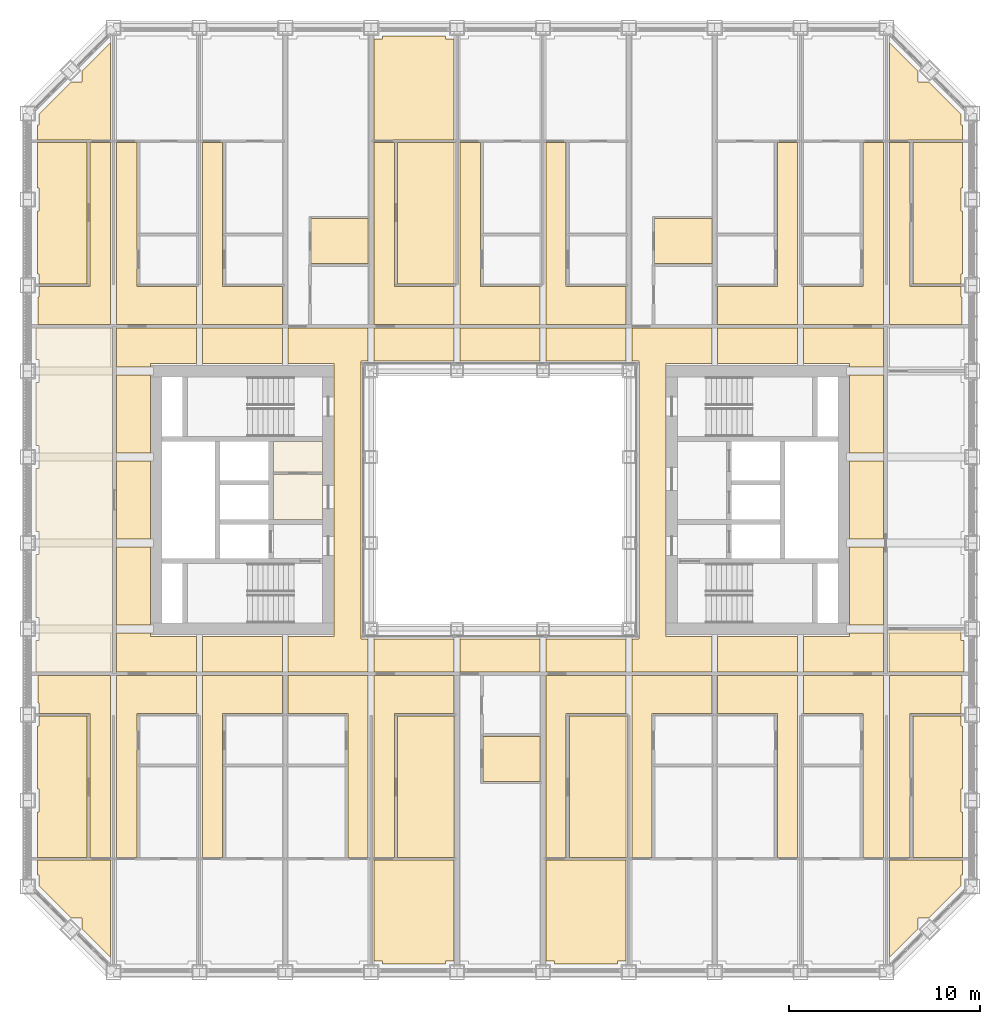
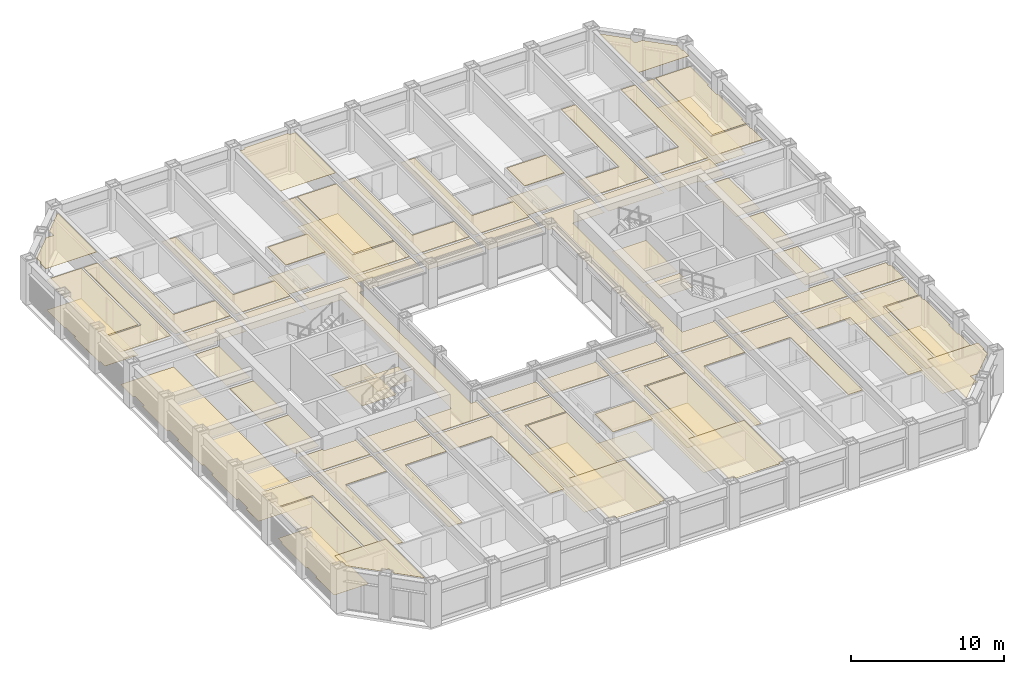
# One storey, part 18 of 20: 4 coverings.
"""IFC4 building model written with IfcOpenShell, lengths in metres."""

from ifc_helpers import new_model, si_unit, direction, frame, origin, place, context, subcontext, project, spatial, line, indexed_curve, outline, extrude, material, layer, layer_set, type_object, element, save


model = new_model("IFC4")

# Units and contexts
model_context = context("Model", 3, precision=1e-05, world=origin(), true_north=direction((0.0, 1.0)))
body_context = subcontext(model_context, "Body", "Model", "MODEL_VIEW")
ifc_project = project(units=[si_unit("LENGTHUNIT", "METRE"), si_unit("AREAUNIT", "SQUARE_METRE"), si_unit("VOLUMEUNIT", "CUBIC_METRE"), si_unit("PLANEANGLEUNIT", "RADIAN"), si_unit("MASSUNIT", "GRAM", prefix="KILO")], contexts=[model_context])

# Site, building, storey
site_placement = place(None, origin())
site = spatial("IfcSite", under=ifc_project, at=site_placement, CompositionType="ELEMENT")
building_placement = place(site_placement, origin())
building = spatial("IfcBuilding", under=site, at=building_placement, Name="Msasa Ring Tower", CompositionType="ELEMENT")
storey_placement = place(building_placement, frame((0.0, 0.0, 61.5)))
storey = spatial("IfcBuildingStorey", under=building, at=storey_placement, Name="L15", CompositionType="ELEMENT", Elevation=61.5)

# Coverings
ifc_material_1 = material(Name="Gypsum plasterboard on a steel suspension grid", Category="steel")
ifc_layer_1 = layer(ifc_material_1, 0.014892578125)
ifc_layer_set_1 = layer_set([ifc_layer_1], Name="C1 SUSPENDED PLASTERBOARD CEILING 15")
covering_type_1 = type_object("IfcCoveringType", Name="C1 SUSPENDED PLASTERBOARD CEILING 15", PredefinedType="CEILING", material=ifc_layer_set_1)
covering_1_placement = place(storey_placement, frame((0.0, 0.0, 2.39990234375)))
element("IfcCovering", 1, at=covering_1_placement, inside=storey, type_object=covering_type_1, Name="Suspended Plasterboard Ceiling 15 circulation L15", PredefinedType="CEILING", context=body_context, shape_type="SweptSolid", body=[
    extrude(outline(indexed_curve([(-21.469482421875, -18.744384765625), (-21.469482421875, -11.199462890625), (-24.1494140625, -11.199462890625), (-24.1494140625, -10.6494140625), (-24.199462890625, -10.6494140625), (-24.199462890625, -9.200439453125), (-20.404296875, -9.200439453125), (-20.404296875, -18.744384765625)], segments=[line(1, 2, 3, 4, 5, 6, 7, 8, 1)], self_intersect=False)), origin(), (0.0, 0.0, 1.0), 0.01513671875),
    extrude(outline(indexed_curve([(-24.199462890625, 9.200439453125), (-24.199462890625, 10.6494140625), (-24.1494140625, 10.6494140625), (-24.1494140625, 11.199462890625), (-21.469482421875, 11.199462890625), (-21.469482421875, 18.744384765625), (-20.404296875, 18.744384765625), (-20.404296875, 9.200439453125)], segments=[line(1, 2, 3, 4, 5, 6, 7, 8, 1)], self_intersect=False)), origin(), (0.0, 0.0, 1.0), 0.01513671875),
    extrude(outline(indexed_curve([(-20.099609375, -2.460693359375), (-18.300537109375, -2.460693359375), (-18.300537109375, -6.539306640625), (-20.099609375, -6.539306640625)], segments=[line(1, 2, 3, 4, 1)], self_intersect=False)), origin(), (0.0, 0.0, 1.0), 0.01513671875),
    extrude(outline(indexed_curve([(-20.099609375, 2.039306640625), (-18.300537109375, 2.039306640625), (-18.300537109375, -2.039306640625), (-20.099609375, -2.039306640625)], segments=[line(1, 2, 3, 4, 1)], self_intersect=False)), origin(), (0.0, 0.0, 1.0), 0.01513671875),
    extrude(outline(indexed_curve([(-20.099609375, 6.539306640625), (-18.300537109375, 6.539306640625), (-18.300537109375, 2.460693359375), (-20.099609375, 2.460693359375)], segments=[line(1, 2, 3, 4, 1)], self_intersect=False)), origin(), (0.0, 0.0, 1.0), 0.01513671875),
    extrude(outline(indexed_curve([(-19.030517578125, -11.199462890625), (-19.030517578125, -18.744384765625), (-20.095703125, -18.744384765625), (-20.095703125, -9.200439453125), (-15.904296875, -9.200439453125), (-15.904296875, -11.199462890625)], segments=[line(1, 2, 3, 4, 5, 6, 1)], self_intersect=False)), origin(), (0.0, 0.0, 1.0), 0.01513671875),
    extrude(outline(indexed_curve([(-20.095703125, -8.99951171875), (-20.095703125, -6.960693359375), (-18.300537109375, -6.960693359375), (-18.300537109375, -7.150390625), (-15.904296875, -7.150390625), (-15.904296875, -8.99951171875)], segments=[line(1, 2, 3, 4, 5, 6, 1)], self_intersect=False)), origin(), (0.0, 0.0, 1.0), 0.01513671875),
    extrude(outline(indexed_curve([(-15.904296875, 8.99951171875), (-15.904296875, 7.150390625), (-18.300537109375, 7.150390625), (-18.300537109375, 6.960693359375), (-20.095703125, 6.960693359375), (-20.095703125, 8.99951171875)], segments=[line(1, 2, 3, 4, 5, 6, 1)], self_intersect=False)), origin(), (0.0, 0.0, 1.0), 0.01513671875),
    extrude(outline(indexed_curve([(-19.030517578125, 18.744384765625), (-19.030517578125, 11.199462890625), (-15.904296875, 11.199462890625), (-15.904296875, 9.200439453125), (-20.095703125, 9.200439453125), (-20.095703125, 18.744384765625)], segments=[line(1, 2, 3, 4, 5, 6, 1)], self_intersect=False)), origin(), (0.0, 0.0, 1.0), 0.01513671875),
    extrude(outline(indexed_curve([(-11.404296875, -9.200439453125), (-11.404296875, -11.199462890625), (-14.530517578125, -11.199462890625), (-14.530517578125, -18.744384765625), (-15.595703125, -18.744384765625), (-15.595703125, -9.200439453125)], segments=[line(1, 2, 3, 4, 5, 6, 1)], self_intersect=False)), origin(), (0.0, 0.0, 1.0), 0.01513671875),
    extrude(outline(indexed_curve([(-15.595703125, -8.99951171875), (-15.595703125, -7.150390625), (-11.404296875, -7.150390625), (-11.404296875, -8.99951171875)], segments=[line(1, 2, 3, 4, 1)], self_intersect=False)), origin(), (0.0, 0.0, 1.0), 0.01513671875),
    extrude(outline(indexed_curve([(-11.404296875, 8.99951171875), (-11.404296875, 7.150390625), (-15.595703125, 7.150390625), (-15.595703125, 8.99951171875)], segments=[line(1, 2, 3, 4, 1)], self_intersect=False)), origin(), (0.0, 0.0, 1.0), 0.01513671875),
    extrude(outline(indexed_curve([(-14.530517578125, 18.744384765625), (-14.530517578125, 11.199462890625), (-11.404296875, 11.199462890625), (-11.404296875, 9.200439453125), (-15.595703125, 9.200439453125), (-15.595703125, 18.744384765625)], segments=[line(1, 2, 3, 4, 5, 6, 1)], self_intersect=False)), origin(), (0.0, 0.0, 1.0), 0.01513671875),
    extrude(outline(indexed_curve([(-11.87451171875, -3.074462890625), (-11.87451171875, -1.275390625), (-9.300537109375, -1.275390625), (-9.300537109375, -3.074462890625)], segments=[line(1, 2, 3, 4, 1)], self_intersect=False)), origin(), (0.0, 0.0, 1.0), 0.01513671875),
    extrude(outline(indexed_curve([(-7.969482421875, -18.744384765625), (-7.969482421875, -11.199462890625), (-11.095703125, -11.199462890625), (-11.095703125, -9.200439453125), (-6.904296875, -9.200439453125), (-6.904296875, -18.744384765625)], segments=[line(1, 2, 3, 4, 5, 6, 1)], self_intersect=False)), origin(), (0.0, 0.0, 1.0), 0.01513671875),
    extrude(outline(indexed_curve([(-6.904296875, 8.99951171875), (-6.904296875, 7.280029296875), (-7.275390625, 7.275390625), (-7.280517578125, 7.23046875), (-7.280517578125, -7.23046875), (-7.275390625, -7.275390625), (-6.904296875, -7.280029296875), (-6.904296875, -8.99951171875), (-11.095703125, -8.99951171875), (-11.095703125, -7.150390625), (-8.699462890625, -7.150390625), (-8.699462890625, 7.150390625), (-11.095703125, 7.150390625), (-11.095703125, 8.99951171875)], segments=[line(1, 2, 3, 4, 5, 6, 7, 8, 9, 10, 11, 12, 13, 14, 1)], self_intersect=False)), origin(), (0.0, 0.0, 1.0), 0.01513671875),
    extrude(outline(indexed_curve([(-6.595703125, -18.744384765625), (-6.595703125, -9.200439453125), (-2.404296875, -9.200439453125), (-2.404296875, -11.199462890625), (-5.530517578125, -11.199462890625), (-5.530517578125, -18.744384765625)], segments=[line(1, 2, 3, 4, 5, 6, 1)], self_intersect=False)), origin(), (0.0, 0.0, 1.0), 0.01513671875),
    extrude(outline(indexed_curve([(-6.595703125, -8.99951171875), (-6.595703125, -7.280029296875), (-2.404296875, -7.280029296875), (-2.404296875, -8.99951171875)], segments=[line(1, 2, 3, 4, 1)], self_intersect=False)), origin(), (0.0, 0.0, 1.0), 0.01513671875),
    extrude(outline(indexed_curve([(-2.404296875, 8.99951171875), (-2.404296875, 7.280029296875), (-6.595703125, 7.280029296875), (-6.595703125, 8.99951171875)], segments=[line(1, 2, 3, 4, 1)], self_intersect=False)), origin(), (0.0, 0.0, 1.0), 0.01513671875),
    extrude(outline(indexed_curve([(-5.530517578125, 11.199462890625), (-2.404296875, 11.199462890625), (-2.404296875, 9.200439453125), (-6.595703125, 9.200439453125), (-6.595703125, 18.744384765625), (-5.530517578125, 18.744384765625)], segments=[line(1, 2, 3, 4, 5, 6, 1)], self_intersect=False)), origin(), (0.0, 0.0, 1.0), 0.01513671875),
    extrude(outline(indexed_curve([(-2.095703125, -8.99951171875), (-2.095703125, -7.280029296875), (2.095703125, -7.280029296875), (2.095703125, -8.99951171875)], segments=[line(1, 2, 3, 4, 1)], self_intersect=False)), origin(), (0.0, 0.0, 1.0), 0.01513671875),
    extrude(outline(indexed_curve([(2.095703125, 8.99951171875), (2.095703125, 7.280029296875), (-2.095703125, 7.280029296875), (-2.095703125, 8.99951171875)], segments=[line(1, 2, 3, 4, 1)], self_intersect=False)), origin(), (0.0, 0.0, 1.0), 0.01513671875),
    extrude(outline(indexed_curve([(-1.030517578125, 18.744384765625), (-1.030517578125, 11.199462890625), (2.095703125, 11.199462890625), (2.095703125, 9.200439453125), (-2.095703125, 9.200439453125), (-2.095703125, 18.744384765625)], segments=[line(1, 2, 3, 4, 5, 6, 1)], self_intersect=False)), origin(), (0.0, 0.0, 1.0), 0.01513671875),
    extrude(outline(indexed_curve([(3.469482421875, -11.199462890625), (3.469482421875, -18.744384765625), (2.404296875, -18.744384765625), (2.404296875, -9.200439453125), (6.595703125, -9.200439453125), (6.595703125, -11.199462890625)], segments=[line(1, 2, 3, 4, 5, 6, 1)], self_intersect=False)), origin(), (0.0, 0.0, 1.0), 0.01513671875),
    extrude(outline(indexed_curve([(2.404296875, -8.99951171875), (2.404296875, -7.280029296875), (6.595703125, -7.280029296875), (6.595703125, -8.99951171875)], segments=[line(1, 2, 3, 4, 1)], self_intersect=False)), origin(), (0.0, 0.0, 1.0), 0.01513671875),
    extrude(outline(indexed_curve([(6.595703125, 8.99951171875), (6.595703125, 7.280029296875), (2.404296875, 7.280029296875), (2.404296875, 8.99951171875)], segments=[line(1, 2, 3, 4, 1)], self_intersect=False)), origin(), (0.0, 0.0, 1.0), 0.01513671875),
    extrude(outline(indexed_curve([(3.469482421875, 18.744384765625), (3.469482421875, 11.199462890625), (6.595703125, 11.199462890625), (6.595703125, 9.200439453125), (2.404296875, 9.200439453125), (2.404296875, 18.744384765625)], segments=[line(1, 2, 3, 4, 5, 6, 1)], self_intersect=False)), origin(), (0.0, 0.0, 1.0), 0.01513671875),
    extrude(outline(indexed_curve([(11.095703125, -9.200439453125), (11.095703125, -11.199462890625), (7.969482421875, -11.199462890625), (7.969482421875, -18.744384765625), (6.904296875, -18.744384765625), (6.904296875, -9.200439453125)], segments=[line(1, 2, 3, 4, 5, 6, 1)], self_intersect=False)), origin(), (0.0, 0.0, 1.0), 0.01513671875),
    extrude(outline(indexed_curve([(11.095703125, 8.99951171875), (11.095703125, 7.150390625), (8.699462890625, 7.150390625), (8.699462890625, -7.150390625), (11.095703125, -7.150390625), (11.095703125, -8.99951171875), (6.904296875, -8.99951171875), (6.904296875, -7.280029296875), (7.275390625, -7.275390625), (7.280517578125, -7.23046875), (7.280517578125, 7.23046875), (7.275390625, 7.275390625), (6.904296875, 7.280029296875), (6.904296875, 8.99951171875)], segments=[line(1, 2, 3, 4, 5, 6, 7, 8, 9, 10, 11, 12, 13, 14, 1)], self_intersect=False)), origin(), (0.0, 0.0, 1.0), 0.01513671875),
    extrude(outline(indexed_curve([(9.300537109375, -3.074462890625), (9.300537109375, -1.275390625), (11.87451171875, -1.275390625), (11.87451171875, -3.074462890625)], segments=[line(1, 2, 3, 4, 1)], self_intersect=False)), origin(), (0.0, 0.0, 1.0), 0.01513671875),
    extrude(outline(indexed_curve([(9.300537109375, 3.074462890625), (11.87451171875, 3.074462890625), (11.87451171875, -1.0244140625), (9.300537109375, -1.0244140625)], segments=[line(1, 2, 3, 4, 1)], self_intersect=False)), origin(), (0.0, 0.0, 1.0), 0.01513671875),
    extrude(outline(indexed_curve([(14.530517578125, -18.744384765625), (14.530517578125, -11.199462890625), (11.404296875, -11.199462890625), (11.404296875, -9.200439453125), (15.595703125, -9.200439453125), (15.595703125, -18.744384765625)], segments=[line(1, 2, 3, 4, 5, 6, 1)], self_intersect=False)), origin(), (0.0, 0.0, 1.0), 0.01513671875),
    extrude(outline(indexed_curve([(11.404296875, -8.99951171875), (11.404296875, -7.150390625), (15.595703125, -7.150390625), (15.595703125, -8.99951171875)], segments=[line(1, 2, 3, 4, 1)], self_intersect=False)), origin(), (0.0, 0.0, 1.0), 0.01513671875),
    extrude(outline(indexed_curve([(15.595703125, 8.99951171875), (15.595703125, 7.150390625), (11.404296875, 7.150390625), (11.404296875, 8.99951171875)], segments=[line(1, 2, 3, 4, 1)], self_intersect=False)), origin(), (0.0, 0.0, 1.0), 0.01513671875),
    extrude(outline(indexed_curve([(11.404296875, 9.200439453125), (11.404296875, 11.199462890625), (14.530517578125, 11.199462890625), (14.530517578125, 18.744384765625), (15.595703125, 18.744384765625), (15.595703125, 9.200439453125)], segments=[line(1, 2, 3, 4, 5, 6, 1)], self_intersect=False)), origin(), (0.0, 0.0, 1.0), 0.01513671875),
    extrude(outline(indexed_curve([(19.030517578125, -18.744384765625), (19.030517578125, -11.199462890625), (15.904296875, -11.199462890625), (15.904296875, -9.200439453125), (20.095703125, -9.200439453125), (20.095703125, -18.744384765625)], segments=[line(1, 2, 3, 4, 5, 6, 1)], self_intersect=False)), origin(), (0.0, 0.0, 1.0), 0.01513671875),
    extrude(outline(indexed_curve([(15.904296875, -8.99951171875), (15.904296875, -7.150390625), (18.300537109375, -7.150390625), (18.300537109375, -6.960693359375), (20.095703125, -6.960693359375), (20.095703125, -8.99951171875)], segments=[line(1, 2, 3, 4, 5, 6, 1)], self_intersect=False)), origin(), (0.0, 0.0, 1.0), 0.01513671875),
    extrude(outline(indexed_curve([(20.095703125, 8.99951171875), (20.095703125, 6.960693359375), (18.300537109375, 6.960693359375), (18.300537109375, 7.150390625), (15.904296875, 7.150390625), (15.904296875, 8.99951171875)], segments=[line(1, 2, 3, 4, 5, 6, 1)], self_intersect=False)), origin(), (0.0, 0.0, 1.0), 0.01513671875),
    extrude(outline(indexed_curve([(19.030517578125, 11.199462890625), (19.030517578125, 18.744384765625), (20.095703125, 18.744384765625), (20.095703125, 9.200439453125), (15.904296875, 9.200439453125), (15.904296875, 11.199462890625)], segments=[line(1, 2, 3, 4, 5, 6, 1)], self_intersect=False)), origin(), (0.0, 0.0, 1.0), 0.01513671875),
    extrude(outline(indexed_curve([(20.099609375, -6.539306640625), (18.300537109375, -6.539306640625), (18.300537109375, -2.460693359375), (20.099609375, -2.460693359375)], segments=[line(1, 2, 3, 4, 1)], self_intersect=False)), origin(), (0.0, 0.0, 1.0), 0.01513671875),
    extrude(outline(indexed_curve([(20.099609375, -2.039306640625), (18.300537109375, -2.039306640625), (18.300537109375, 2.039306640625), (20.099609375, 2.039306640625)], segments=[line(1, 2, 3, 4, 1)], self_intersect=False)), origin(), (0.0, 0.0, 1.0), 0.01513671875),
    extrude(outline(indexed_curve([(20.099609375, 2.460693359375), (18.300537109375, 2.460693359375), (18.300537109375, 6.539306640625), (20.099609375, 6.539306640625)], segments=[line(1, 2, 3, 4, 1)], self_intersect=False)), origin(), (0.0, 0.0, 1.0), 0.01513671875),
    extrude(outline(indexed_curve([(24.199462890625, -9.200439453125), (24.199462890625, -10.6494140625), (24.1494140625, -10.6494140625), (24.1494140625, -11.199462890625), (21.469482421875, -11.199462890625), (21.469482421875, -18.744384765625), (20.404296875, -18.744384765625), (20.404296875, -9.200439453125)], segments=[line(1, 2, 3, 4, 5, 6, 7, 8, 1)], self_intersect=False)), origin(), (0.0, 0.0, 1.0), 0.01513671875),
    extrude(outline(indexed_curve([(21.469482421875, 18.744384765625), (21.469482421875, 11.199462890625), (24.1494140625, 11.199462890625), (24.1494140625, 10.6494140625), (24.199462890625, 10.6494140625), (24.199462890625, 9.200439453125), (20.404296875, 9.200439453125), (20.404296875, 18.744384765625)], segments=[line(1, 2, 3, 4, 5, 6, 7, 8, 1)], self_intersect=False)), origin(), (0.0, 0.0, 1.0), 0.01513671875),
])
covering_2_placement = place(storey_placement, frame((0.0, 0.0, 3.199951171875)))
element("IfcCovering", 2, at=covering_2_placement, inside=storey, type_object=covering_type_1, Name="Suspended Plasterboard Ceiling 15 public rooms L15", PredefinedType="CEILING", context=body_context, shape_type="SweptSolid", body=[
    extrude(outline(indexed_curve([(-24.239501953125, -18.85546875), (-20.404296875, -18.85546875), (-20.404296875, -23.95849609375), (-21.8994140625, -22.46337890625), (-21.8994140625, -21.8994140625), (-22.46337890625, -21.8994140625), (-24.1494140625, -20.21337890625), (-24.1494140625, -19.6494140625), (-24.239501953125, -19.6494140625)], segments=[line(1, 2, 3, 4, 5, 6, 7, 8, 9, 1)], self_intersect=False)), origin(), (0.0, 0.0, 1.0), 0.01513671875),
    extrude(outline(indexed_curve([(-24.239501953125, 18.85546875), (-24.239501953125, 19.6494140625), (-24.1494140625, 19.6494140625), (-24.1494140625, 20.21337890625), (-22.46337890625, 21.8994140625), (-21.8994140625, 21.8994140625), (-21.8994140625, 22.46337890625), (-20.404296875, 23.95849609375), (-20.404296875, 18.85546875)], segments=[line(1, 2, 3, 4, 5, 6, 7, 8, 9, 1)], self_intersect=False)), origin(), (0.0, 0.0, 1.0), 0.01513671875),
    extrude(outline(indexed_curve([(-6.1494140625, -24.299560546875), (-6.1494140625, -24.1494140625), (-6.595703125, -24.1494140625), (-6.595703125, -18.85546875), (-2.404296875, -18.85546875), (-2.404296875, -24.1494140625), (-2.8505859375, -24.1494140625), (-2.8505859375, -24.299560546875)], segments=[line(1, 2, 3, 4, 5, 6, 7, 8, 1)], self_intersect=False)), origin(), (0.0, 0.0, 1.0), 0.01513671875),
    extrude(outline(indexed_curve([(-6.595703125, 18.85546875), (-6.595703125, 24.1494140625), (-6.1494140625, 24.1494140625), (-6.1494140625, 24.299560546875), (-2.8505859375, 24.299560546875), (-2.8505859375, 24.1494140625), (-2.404296875, 24.1494140625), (-2.404296875, 18.85546875)], segments=[line(1, 2, 3, 4, 5, 6, 7, 8, 1)], self_intersect=False)), origin(), (0.0, 0.0, 1.0), 0.01513671875),
    extrude(outline(indexed_curve([(6.595703125, -18.85546875), (6.595703125, -24.1494140625), (6.1494140625, -24.1494140625), (6.1494140625, -24.299560546875), (2.8505859375, -24.299560546875), (2.8505859375, -24.1494140625), (2.404296875, -24.1494140625), (2.404296875, -18.85546875)], segments=[line(1, 2, 3, 4, 5, 6, 7, 8, 1)], self_intersect=False)), origin(), (0.0, 0.0, 1.0), 0.01513671875),
    extrude(outline(indexed_curve([(24.239501953125, -18.85546875), (24.239501953125, -19.6494140625), (24.1494140625, -19.6494140625), (24.1494140625, -20.21337890625), (22.46337890625, -21.8994140625), (21.8994140625, -21.8994140625), (21.8994140625, -22.46337890625), (20.404296875, -23.95849609375), (20.404296875, -18.85546875)], segments=[line(1, 2, 3, 4, 5, 6, 7, 8, 9, 1)], self_intersect=False)), origin(), (0.0, 0.0, 1.0), 0.01513671875),
    extrude(outline(indexed_curve([(24.239501953125, 18.85546875), (20.404296875, 18.85546875), (20.404296875, 23.95849609375), (21.8994140625, 22.46337890625), (21.8994140625, 21.8994140625), (22.46337890625, 21.8994140625), (24.1494140625, 20.21337890625), (24.1494140625, 19.6494140625), (24.239501953125, 19.6494140625)], segments=[line(1, 2, 3, 4, 5, 6, 7, 8, 9, 1)], self_intersect=False)), origin(), (0.0, 0.0, 1.0), 0.01513671875),
])
ifc_material_2 = material(Name="Perforated aluminium ceiling pans on a steel grid", Category="steel")
ifc_layer_2 = layer(ifc_material_2, 0.02490234375)
ifc_layer_set_2 = layer_set([ifc_layer_2], Name="C4 PERFORATED METAL PAN CEILING 25")
covering_type_2 = type_object("IfcCoveringType", Name="C4 PERFORATED METAL PAN CEILING 25", PredefinedType="CEILING", material=ifc_layer_set_2)
covering_3_placement = place(storey_placement, frame((0.0, 0.0, 2.39990234375)))
element("IfcCovering", 3, at=covering_3_placement, inside=storey, type_object=covering_type_2, Name="Perforated Metal Pan Ceiling 25 L15", PredefinedType="CEILING", context=body_context, shape_type="SweptSolid", body=[
    extrude(outline(indexed_curve([(-24.239501953125, -18.744384765625), (-24.239501953125, -16.3505859375), (-24.1494140625, -16.3505859375), (-24.1494140625, -15.1494140625), (-24.239501953125, -15.1494140625), (-24.239501953125, -11.8505859375), (-24.1494140625, -11.8505859375), (-24.1494140625, -11.305419921875), (-21.630615234375, -11.305419921875), (-21.630615234375, -18.744384765625)], segments=[line(1, 2, 3, 4, 5, 6, 7, 8, 9, 10, 1)], self_intersect=False)), origin(), (0.0, 0.0, 1.0), 0.025146484375),
    extrude(outline(indexed_curve([(-24.239501953125, 15.1494140625), (-24.1494140625, 15.1494140625), (-24.1494140625, 16.3505859375), (-24.239501953125, 16.3505859375), (-24.239501953125, 18.744384765625), (-21.630615234375, 18.744384765625), (-21.630615234375, 11.305419921875), (-24.1494140625, 11.305419921875), (-24.1494140625, 11.8505859375), (-24.239501953125, 11.8505859375)], segments=[line(1, 2, 3, 4, 5, 6, 7, 8, 9, 10, 1)], self_intersect=False)), origin(), (0.0, 0.0, 1.0), 0.025146484375),
    extrude(outline(indexed_curve([(-9.8994140625, 14.744384765625), (-6.904296875, 14.744384765625), (-6.904296875, 12.380615234375), (-9.8994140625, 12.380615234375)], segments=[line(1, 2, 3, 4, 1)], self_intersect=False)), origin(), (0.0, 0.0, 1.0), 0.025146484375),
    extrude(outline(indexed_curve([(-5.369384765625, -18.744384765625), (-5.369384765625, -11.305419921875), (-2.404296875, -11.305419921875), (-2.404296875, -18.744384765625)], segments=[line(1, 2, 3, 4, 1)], self_intersect=False)), origin(), (0.0, 0.0, 1.0), 0.025146484375),
    extrude(outline(indexed_curve([(-5.369384765625, 11.305419921875), (-5.369384765625, 18.744384765625), (-2.404296875, 18.744384765625), (-2.404296875, 11.305419921875)], segments=[line(1, 2, 3, 4, 1)], self_intersect=False)), origin(), (0.0, 0.0, 1.0), 0.025146484375),
    extrude(outline(indexed_curve([(-0.8994140625, -14.744384765625), (-0.8994140625, -12.380615234375), (2.095703125, -12.380615234375), (2.095703125, -14.744384765625)], segments=[line(1, 2, 3, 4, 1)], self_intersect=False)), origin(), (0.0, 0.0, 1.0), 0.025146484375),
    extrude(outline(indexed_curve([(3.630615234375, -11.305419921875), (6.595703125, -11.305419921875), (6.595703125, -18.744384765625), (3.630615234375, -18.744384765625)], segments=[line(1, 2, 3, 4, 1)], self_intersect=False)), origin(), (0.0, 0.0, 1.0), 0.025146484375),
    extrude(outline(indexed_curve([(8.1005859375, 14.744384765625), (11.095703125, 14.744384765625), (11.095703125, 12.380615234375), (8.1005859375, 12.380615234375)], segments=[line(1, 2, 3, 4, 1)], self_intersect=False)), origin(), (0.0, 0.0, 1.0), 0.025146484375),
    extrude(outline(indexed_curve([(24.299560546875, -8.99951171875), (20.404296875, -8.99951171875), (20.404296875, -6.960693359375), (24.1494140625, -6.960693359375), (24.1494140625, -7.3505859375), (24.299560546875, -7.3505859375)], segments=[line(1, 2, 3, 4, 5, 6, 1)], self_intersect=False)), origin(), (0.0, 0.0, 1.0), 0.025146484375),
    extrude(outline(indexed_curve([(21.630615234375, -11.305419921875), (24.1494140625, -11.305419921875), (24.1494140625, -11.8505859375), (24.239501953125, -11.8505859375), (24.239501953125, -15.1494140625), (24.1494140625, -15.1494140625), (24.1494140625, -16.3505859375), (24.239501953125, -16.3505859375), (24.239501953125, -18.744384765625), (21.630615234375, -18.744384765625)], segments=[line(1, 2, 3, 4, 5, 6, 7, 8, 9, 10, 1)], self_intersect=False)), origin(), (0.0, 0.0, 1.0), 0.025146484375),
    extrude(outline(indexed_curve([(21.630615234375, 18.744384765625), (24.239501953125, 18.744384765625), (24.239501953125, 16.3505859375), (24.1494140625, 16.3505859375), (24.1494140625, 15.1494140625), (24.239501953125, 15.1494140625), (24.239501953125, 11.8505859375), (24.1494140625, 11.8505859375), (24.1494140625, 11.305419921875), (21.630615234375, 11.305419921875)], segments=[line(1, 2, 3, 4, 5, 6, 7, 8, 9, 10, 1)], self_intersect=False)), origin(), (0.0, 0.0, 1.0), 0.025146484375),
])
ifc_material_3 = material(Name="Welded vinyl safety sheet flooring", Category="vinyl")
ifc_layer_3 = layer(ifc_material_3, 0.0029296875)
ifc_layer_set_3 = layer_set([ifc_layer_3], Name="F5 RESILIENT SHEET FLOORING 3")
covering_type_3 = type_object("IfcCoveringType", Name="F5 RESILIENT SHEET FLOORING 3", PredefinedType="FLOORING", material=ifc_layer_set_3)
covering_4_placement = place(storey_placement, origin())
element("IfcCovering", 4, at=covering_4_placement, inside=storey, type_object=covering_type_3, Name="Resilient Sheet Flooring 3 L15", PredefinedType="FLOORING", context=body_context, shape_type="SweptSolid", body=[
    extrude(outline(indexed_curve([(-24.299560546875, -8.99951171875), (-24.299560546875, -7.3505859375), (-24.1494140625, -7.3505859375), (-24.1494140625, -6.1494140625), (-24.299560546875, -6.1494140625), (-24.299560546875, -2.8505859375), (-24.1494140625, -2.8505859375), (-24.1494140625, -1.6494140625), (-24.299560546875, -1.6494140625), (-24.299560546875, 1.6494140625), (-24.1494140625, 1.6494140625), (-24.1494140625, 2.8505859375), (-24.299560546875, 2.8505859375), (-24.299560546875, 6.1494140625), (-24.1494140625, 6.1494140625), (-24.1494140625, 7.3505859375), (-24.299560546875, 7.3505859375), (-24.299560546875, 8.99951171875), (-20.300537109375, 8.99951171875), (-20.300537109375, -8.99951171875)], segments=[line(1, 2, 3, 4, 5, 6, 7, 8, 9, 10, 11, 12, 13, 14, 15, 16, 17, 18, 19, 20, 1)], self_intersect=False)), origin(), (0.0, 0.0, 1.0), 0.0029296875),
    extrude(outline(indexed_curve([(-24.239501953125, -16.3505859375), (-24.1494140625, -16.3505859375), (-24.1494140625, -15.1494140625), (-24.239501953125, -15.1494140625), (-24.239501953125, -11.8505859375), (-24.1494140625, -11.8505859375), (-24.1494140625, -11.305419921875), (-21.630615234375, -11.305419921875), (-21.630615234375, -18.744384765625), (-24.239501953125, -18.744384765625)], segments=[line(1, 2, 3, 4, 5, 6, 7, 8, 9, 10, 1)], self_intersect=False)), origin(), (0.0, 0.0, 1.0), 0.0029296875),
    extrude(outline(indexed_curve([(-21.630615234375, 18.744384765625), (-21.630615234375, 11.305419921875), (-24.1494140625, 11.305419921875), (-24.1494140625, 11.8505859375), (-24.239501953125, 11.8505859375), (-24.239501953125, 15.1494140625), (-24.1494140625, 15.1494140625), (-24.1494140625, 16.3505859375), (-24.239501953125, 16.3505859375), (-24.239501953125, 18.744384765625)], segments=[line(1, 2, 3, 4, 5, 6, 7, 8, 9, 10, 1)], self_intersect=False)), origin(), (0.0, 0.0, 1.0), 0.0029296875),
    extrude(outline(indexed_curve([(-9.300537109375, 1.344482421875), (-9.300537109375, -1.0244140625), (-11.87451171875, -1.0244140625), (-11.87451171875, 1.344482421875)], segments=[line(1, 2, 3, 4, 1)], self_intersect=False)), origin(), (0.0, 0.0, 1.0), 0.0029296875),
    extrude(outline(indexed_curve([(-9.300537109375, 3.074462890625), (-9.300537109375, 1.45556640625), (-11.87451171875, 1.45556640625), (-11.87451171875, 3.074462890625)], segments=[line(1, 2, 3, 4, 1)], self_intersect=False)), origin(), (0.0, 0.0, 1.0), 0.0029296875),
    extrude(outline(indexed_curve([(-6.87548828125, 14.744384765625), (-6.87548828125, 12.380615234375), (-9.8994140625, 12.380615234375), (-9.8994140625, 14.744384765625)], segments=[line(1, 2, 3, 4, 1)], self_intersect=False)), origin(), (0.0, 0.0, 1.0), 0.0029296875),
    extrude(outline(indexed_curve([(-5.369384765625, -11.305419921875), (-2.37548828125, -11.305419921875), (-2.37548828125, -18.744384765625), (-5.369384765625, -18.744384765625)], segments=[line(1, 2, 3, 4, 1)], self_intersect=False)), origin(), (0.0, 0.0, 1.0), 0.0029296875),
    extrude(outline(indexed_curve([(-2.310546875, 18.744384765625), (-2.310546875, 11.305419921875), (-5.369384765625, 11.305419921875), (-5.369384765625, 18.744384765625)], segments=[line(1, 2, 3, 4, 1)], self_intersect=False)), origin(), (0.0, 0.0, 1.0), 0.0029296875),
    extrude(outline(indexed_curve([(2.12451171875, -12.380615234375), (2.12451171875, -14.744384765625), (-0.8994140625, -14.744384765625), (-0.8994140625, -12.380615234375)], segments=[line(1, 2, 3, 4, 1)], self_intersect=False)), origin(), (0.0, 0.0, 1.0), 0.0029296875),
    extrude(outline(indexed_curve([(6.689453125, -11.305419921875), (6.689453125, -18.744384765625), (3.630615234375, -18.744384765625), (3.630615234375, -11.305419921875)], segments=[line(1, 2, 3, 4, 1)], self_intersect=False)), origin(), (0.0, 0.0, 1.0), 0.0029296875),
    extrude(outline(indexed_curve([(11.12451171875, 14.744384765625), (11.12451171875, 12.380615234375), (8.1005859375, 12.380615234375), (8.1005859375, 14.744384765625)], segments=[line(1, 2, 3, 4, 1)], self_intersect=False)), origin(), (0.0, 0.0, 1.0), 0.0029296875),
    extrude(outline(indexed_curve([(20.300537109375, -6.805419921875), (24.1494140625, -6.805419921875), (24.1494140625, -7.3505859375), (24.299560546875, -7.3505859375), (24.299560546875, -8.99951171875), (20.300537109375, -8.99951171875)], segments=[line(1, 2, 3, 4, 5, 6, 1)], self_intersect=False)), origin(), (0.0, 0.0, 1.0), 0.0029296875),
    extrude(outline(indexed_curve([(24.1494140625, -11.305419921875), (24.1494140625, -11.8505859375), (24.239501953125, -11.8505859375), (24.239501953125, -15.1494140625), (24.1494140625, -15.1494140625), (24.1494140625, -16.3505859375), (24.239501953125, -16.3505859375), (24.239501953125, -18.744384765625), (21.630615234375, -18.744384765625), (21.630615234375, -11.305419921875)], segments=[line(1, 2, 3, 4, 5, 6, 7, 8, 9, 10, 1)], self_intersect=False)), origin(), (0.0, 0.0, 1.0), 0.0029296875),
    extrude(outline(indexed_curve([(24.239501953125, 18.744384765625), (24.239501953125, 16.3505859375), (24.1494140625, 16.3505859375), (24.1494140625, 15.1494140625), (24.239501953125, 15.1494140625), (24.239501953125, 11.8505859375), (24.1494140625, 11.8505859375), (24.1494140625, 11.305419921875), (21.630615234375, 11.305419921875), (21.630615234375, 18.744384765625)], segments=[line(1, 2, 3, 4, 5, 6, 7, 8, 9, 10, 1)], self_intersect=False)), origin(), (0.0, 0.0, 1.0), 0.0029296875),
])

save(model, "model.ifc")
